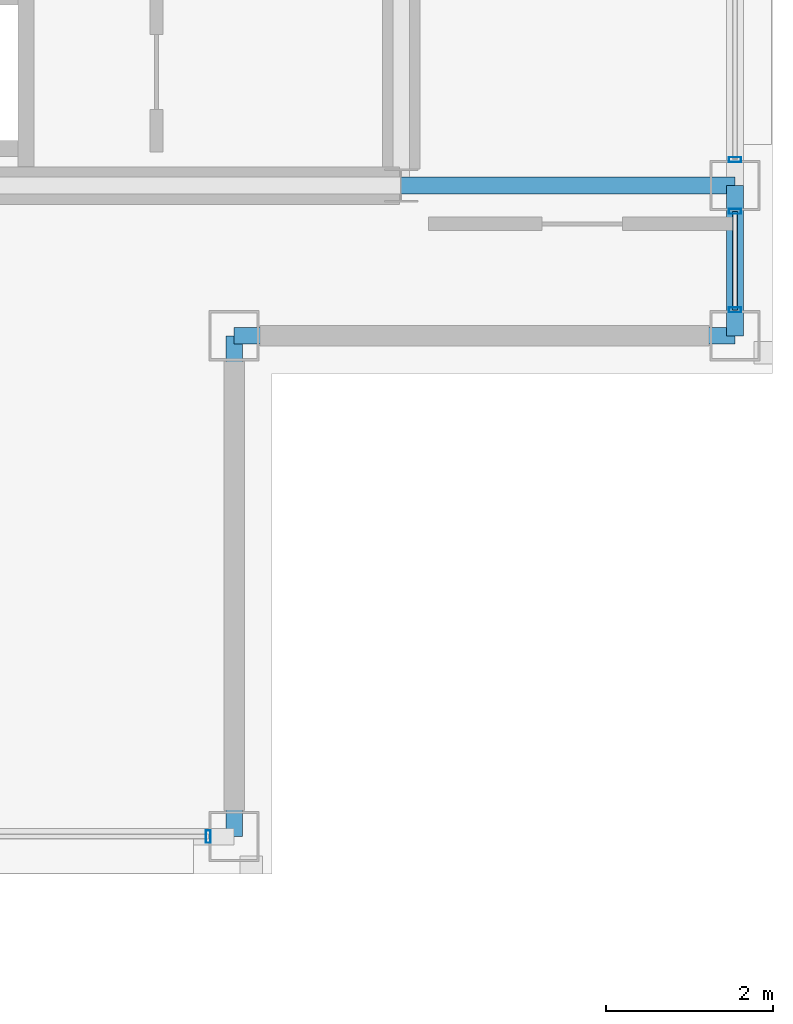
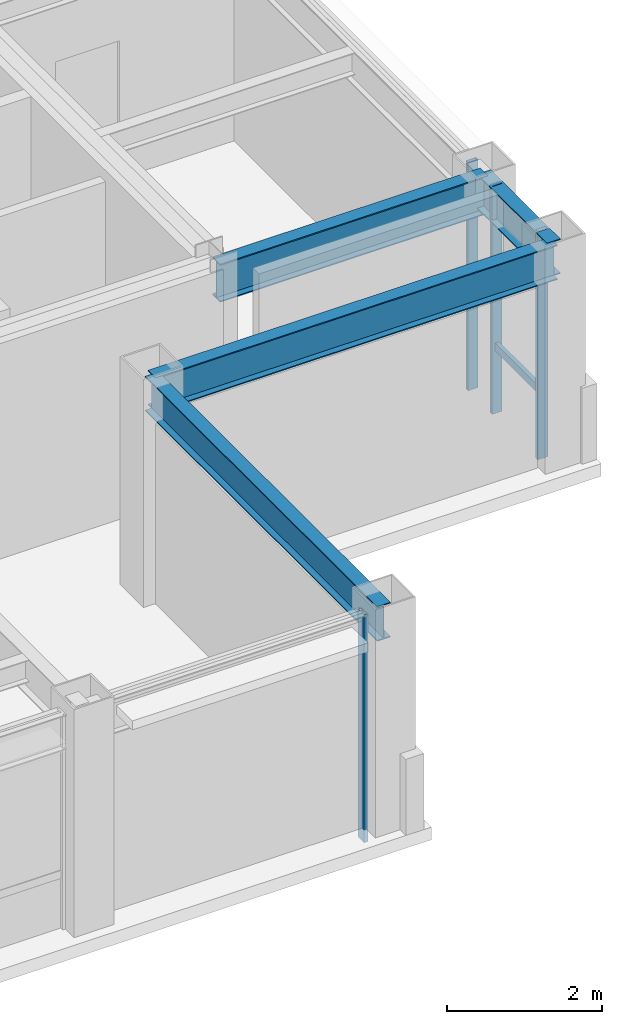
# One storey, part 13 of 24: 5 members, 4 beams, 3 elements without a shape of their own.
"""IFC4 building model written with IfcOpenShell, lengths in metres."""

from ifc_helpers import new_model, si_unit, direction, frame, origin, origin_2d, place, context, subcontext, project, spatial, hollow_rectangle, i_section, extrude, material, layer, layer_set, material_profile, profile_set, type_object, element, aggregate, save


model = new_model("IFC4")

# Units and contexts
model_context = context("Model", 3, precision=1e-05, world=origin(), true_north=direction((0.0, 1.0)))
body_context = subcontext(model_context, "Body", "Model", "MODEL_VIEW")
ifc_project = project(units=[si_unit("LENGTHUNIT", "METRE"), si_unit("AREAUNIT", "SQUARE_METRE"), si_unit("VOLUMEUNIT", "CUBIC_METRE"), si_unit("PLANEANGLEUNIT", "RADIAN"), si_unit("MASSUNIT", "GRAM", prefix="KILO")], contexts=[model_context])

# Site, building, storey
site_placement = place(None, origin())
site = spatial("IfcSite", under=ifc_project, at=site_placement, CompositionType="ELEMENT")
building_placement = place(site_placement, origin())
building = spatial("IfcBuilding", under=site, at=building_placement, Name="Brelmoor Portico Tower", CompositionType="ELEMENT")
storey_placement = place(building_placement, frame((0.0, 0.0, 254.39990234375)))
storey = spatial("IfcBuildingStorey", under=building, at=storey_placement, Name="L67", CompositionType="ELEMENT", Elevation=254.39990234375)

# Beams
ifc_material_1 = material(Name="Steel Q355B", Category="steel")
ifc_material_profile_1 = material_profile(ifc_material_1, i_section(OverallWidth=0.199951171875, OverallDepth=0.60009765625, WebThickness=0.010986328125, FlangeThickness=0.01708984375, at=origin_2d()), Name="HN 600x200x11x17")
ifc_profile_set_1 = profile_set([ifc_material_profile_1], Name="Steel Q355B")
beam_type_1 = type_object("IfcBeamType", Name="BM-PG-600", PredefinedType="BEAM", material=ifc_profile_set_1)
beam_1_placement = place(storey_placement, frame((14.550048828125, -9.75, 3.10009765625), z_axis=(1.0, 0.0, 0.0), x_axis=(0.0, 1.0, 0.0)))
element("IfcBeam", 1, at=beam_1_placement, inside=storey, type_object=beam_type_1, Name="L67 Primary Floor Girder PG-15", PredefinedType="BEAM", context=body_context, shape_type="SweptSolid", body=[
    extrude(i_section(OverallWidth=0.199951171875, OverallDepth=0.60009765625, WebThickness=0.010986328125, FlangeThickness=0.01708984375, at=origin_2d()), origin(), (0.0, 0.0, 1.0), 4.0),
])
ifc_material_profile_2 = material_profile(ifc_material_1, i_section(OverallWidth=0.199951171875, OverallDepth=0.550048828125, WebThickness=0.010009765625, FlangeThickness=0.01611328125, at=origin_2d()), Name="HN 550x200x10x16")
ifc_profile_set_2 = profile_set([ifc_material_profile_2], Name="Steel Q355B")
beam_type_2 = type_object("IfcBeamType", Name="BM-SP-550", PredefinedType="SPANDREL", material=ifc_profile_set_2)
for number, where, z_axis, x_axis, name in (
    (2, (12.550048828125, -11.550048828125, 3.125), (1.0, 0.0, 0.0), (0.0, 1.0, 0.0), "L67 Perimeter Spandrel Beam SP-05"),
    (3, (12.550048828125, -17.550048828125, 3.125), (0.0, 1.0, 0.0), (-1.0, 0.0, 0.0), "L67 Perimeter Spandrel Beam SP-16"),
):
    element("IfcBeam", number, at=place(storey_placement, frame(where, z_axis=z_axis, x_axis=x_axis)), inside=storey, type_object=beam_type_2, Name=name, PredefinedType="SPANDREL", context=body_context, shape_type="SweptSolid", body=[
        extrude(i_section(OverallWidth=0.199951171875, OverallDepth=0.550048828125, WebThickness=0.010009765625, FlangeThickness=0.01611328125, at=origin_2d()), origin(), (0.0, 0.0, 1.0), 6.0),
    ])
beam_2_placement = place(storey_placement, frame((18.550048828125, -11.550048828125, 3.125), z_axis=(0.0, 1.0, 0.0), x_axis=(-1.0, 0.0, 0.0)))
element("IfcBeam", 4, at=beam_2_placement, inside=storey, type_object=beam_type_2, Name="L67 Perimeter Spandrel Beam SP-18", PredefinedType="SPANDREL", context=body_context, shape_type="SweptSolid", body=[
    extrude(i_section(OverallWidth=0.199951171875, OverallDepth=0.550048828125, WebThickness=0.010009765625, FlangeThickness=0.01611328125, at=origin_2d()), origin(), (0.0, 0.0, 1.0), 1.800048828125),
])

# Curtain wall, member
ifc_material_2 = material(Name="Anodised Aluminium Alloy 6063-T6", Category="aluminium")
ifc_layer_1 = layer(ifc_material_2, 0.179931640625)
ifc_layer_set_1 = layer_set([ifc_layer_1], Name="Anodised Aluminium Alloy 6063-T6")
curtain_wall_type_1 = type_object("IfcCurtainWallType", Name="CW-TOWER-Z4-XB", PredefinedType="NOTDEFINED", material=ifc_layer_set_1)
curtain_wall_1_placement = place(storey_placement, origin())
curtain_wall_1 = element("IfcCurtainWall", 5, at=curtain_wall_1_placement, inside=storey, type_object=curtain_wall_type_1, Name="L67 Curtain Wall CW-L67-1R-2", PredefinedType="NOTDEFINED")
ifc_material_profile_3 = material_profile(ifc_material_2, hollow_rectangle(XDim=0.06005859375, YDim=0.14990234375, WallThickness=0.00390625, at=origin_2d()), Name="ALU MULLION 60x150")
ifc_profile_set_3 = profile_set([ifc_material_profile_3], Name="Anodised Aluminium Alloy 6063-T6")
member_type_1 = type_object("IfcMemberType", Name="MB-CW-MULL-150", PredefinedType="MULLION", material=ifc_profile_set_3)
member_1_placement = place(storey_placement, frame((12.239990234375, -17.550048828125, -0.199951171875), z_axis=(0.0, 0.0, 1.0), x_axis=(1.0, 0.0, 0.0)))
member_1 = element("IfcMember", 6, at=member_1_placement, type_object=member_type_1, Name="CW-L67-1R-2 Mullion 01", PredefinedType="MULLION", context=body_context, shape_type="SweptSolid", body=[
    extrude(hollow_rectangle(XDim=0.06005859375, YDim=0.14990234375, WallThickness=0.00390625, at=origin_2d()), origin(), (0.0, 0.0, 1.0), 3.60009765625),
])
aggregate(curtain_wall_1, [member_1])

# Curtain wall, members
ifc_layer_2 = layer(ifc_material_2, 0.179931640625)
ifc_layer_set_2 = layer_set([ifc_layer_2], Name="Anodised Aluminium Alloy 6063-T6")
curtain_wall_type_2 = type_object("IfcCurtainWallType", Name="CW-TOWER-Z4", PredefinedType="NOTDEFINED", material=ifc_layer_set_2)
curtain_wall_2_placement = place(storey_placement, origin())
curtain_wall_2 = element("IfcCurtainWall", 7, at=curtain_wall_2_placement, inside=storey, type_object=curtain_wall_type_2, Name="L67 Curtain Wall CW-L67-04-1", PredefinedType="NOTDEFINED")
member_2_placement = place(storey_placement, frame((18.550048828125, -11.239990234375, -0.199951171875), z_axis=(0.0, 0.0, 1.0), x_axis=(0.0, 1.0, 0.0)))
member_2 = element("IfcMember", 8, at=member_2_placement, type_object=member_type_1, Name="CW-L67-04-1 Mullion 00", PredefinedType="MULLION", context=body_context, shape_type="SweptSolid", body=[
    extrude(hollow_rectangle(XDim=0.06005859375, YDim=0.14990234375, WallThickness=0.00390625, at=origin_2d()), origin(), (0.0, 0.0, 1.0), 3.60009765625),
])
member_3_placement = place(storey_placement, frame((18.550048828125, -10.06005859375, -0.199951171875), z_axis=(0.0, 0.0, 1.0), x_axis=(0.0, 1.0, 0.0)))
member_3 = element("IfcMember", 9, at=member_3_placement, type_object=member_type_1, Name="CW-L67-04-1 Mullion 01", PredefinedType="MULLION", context=body_context, shape_type="SweptSolid", body=[
    extrude(hollow_rectangle(XDim=0.06005859375, YDim=0.14990234375, WallThickness=0.00390625, at=origin_2d()), origin(), (0.0, 0.0, 1.0), 3.60009765625),
])

# Curtain wall, member
curtain_wall_3_placement = place(storey_placement, origin())
curtain_wall_3 = element("IfcCurtainWall", 10, at=curtain_wall_3_placement, inside=storey, type_object=curtain_wall_type_1, Name="L67 Curtain Wall CW-L67-04-2", PredefinedType="NOTDEFINED")
member_4_placement = place(storey_placement, frame((18.550048828125, -9.43994140625, -0.199951171875), z_axis=(0.0, 0.0, 1.0), x_axis=(0.0, 1.0, 0.0)))
member_4 = element("IfcMember", 11, at=member_4_placement, type_object=member_type_1, Name="CW-L67-04-2 Mullion 00", PredefinedType="MULLION", context=body_context, shape_type="SweptSolid", body=[
    extrude(hollow_rectangle(XDim=0.06005859375, YDim=0.14990234375, WallThickness=0.00390625, at=origin_2d()), origin(), (0.0, 0.0, 1.0), 3.60009765625),
])
aggregate(curtain_wall_3, [member_4])

# Member
ifc_material_profile_4 = material_profile(ifc_material_2, hollow_rectangle(XDim=0.06005859375, YDim=0.125, WallThickness=0.00341796875, at=origin_2d()), Name="ALU TRANSOM 60x125")
ifc_profile_set_4 = profile_set([ifc_material_profile_4], Name="Anodised Aluminium Alloy 6063-T6")
member_type_2 = type_object("IfcMemberType", Name="MB-CW-TRAN-125", PredefinedType="USERDEFINED", material=ifc_profile_set_4)
member_5_placement = place(storey_placement, frame((18.550048828125, -11.239990234375, 0.85009765625), z_axis=(0.0, 1.0, 0.0), x_axis=(-1.0, 0.0, 0.0)))
member_5 = element("IfcMember", 12, at=member_5_placement, type_object=member_type_2, Name="CW-L67-04-1 Transom 1-00", ObjectType="TRANSOM", PredefinedType="USERDEFINED", context=body_context, shape_type="SweptSolid", body=[
    extrude(hollow_rectangle(XDim=0.06005859375, YDim=0.125, WallThickness=0.00341796875, at=origin_2d()), origin(), (0.0, 0.0, 1.0), 1.179931640625),
])

aggregate(curtain_wall_2, [member_2, member_3, member_5])

save(model, "model.ifc")
